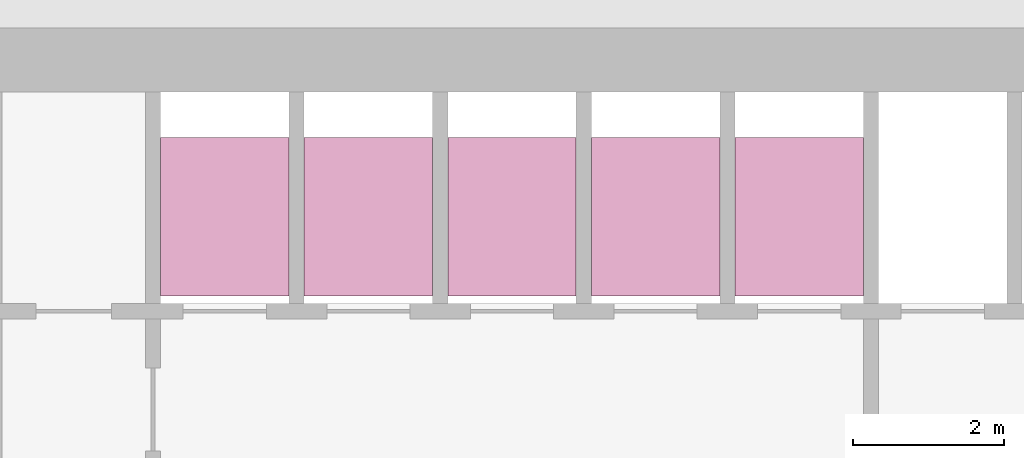
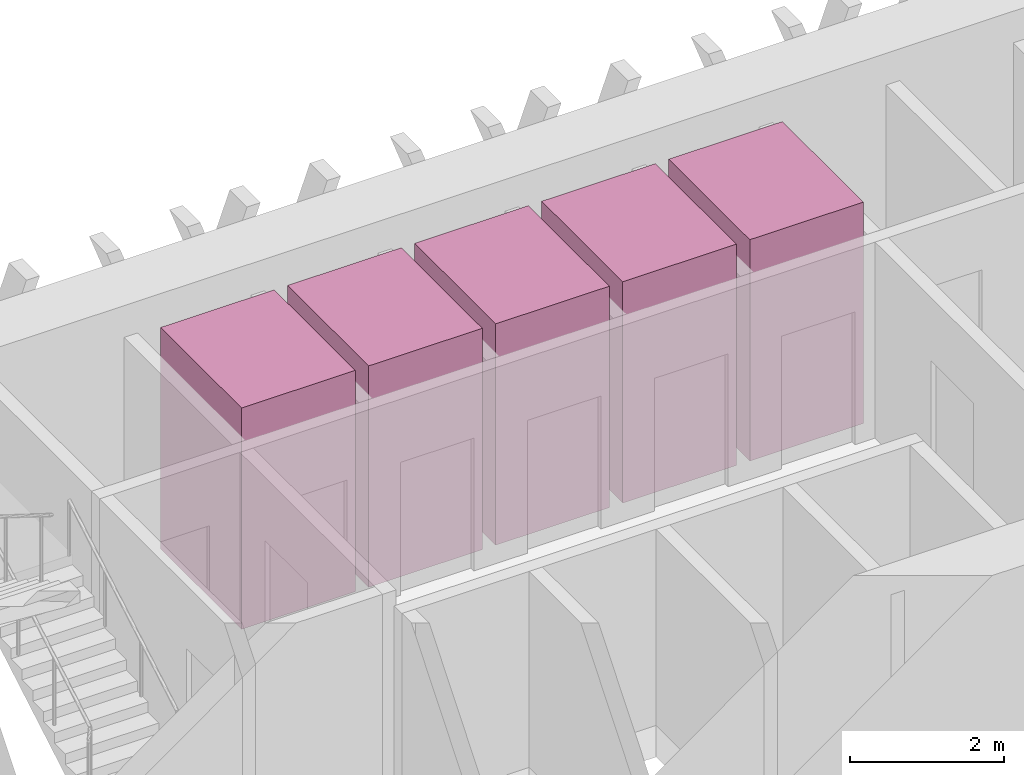
# One storey, part 16 of 16: 5 transport elements.
"""IFC4 building model written with IfcOpenShell, lengths in metres."""

from ifc_helpers import new_model, si_unit, direction, frame, origin, origin_2d, place, context, subcontext, project, spatial, rectangle, extrude, material, type_object, element, save


model = new_model("IFC4")

# Units and contexts
model_context = context("Model", 3, precision=1e-05, world=origin(), true_north=direction((0.0, 1.0)))
body_context = subcontext(model_context, "Body", "Model", "MODEL_VIEW")
ifc_project = project(units=[si_unit("LENGTHUNIT", "METRE"), si_unit("AREAUNIT", "SQUARE_METRE"), si_unit("VOLUMEUNIT", "CUBIC_METRE"), si_unit("PLANEANGLEUNIT", "RADIAN"), si_unit("MASSUNIT", "GRAM", prefix="KILO")], contexts=[model_context])

# Site, building, storey
site_placement = place(None, origin())
site = spatial("IfcSite", under=ifc_project, at=site_placement, CompositionType="ELEMENT")
building_placement = place(site_placement, origin())
building = spatial("IfcBuilding", under=site, at=building_placement, Name="Altiplano Prism Tower", CompositionType="ELEMENT")
storey_placement = place(building_placement, frame((0.0, 0.0, 104.39990234375)))
storey = spatial("IfcBuildingStorey", under=building, at=storey_placement, Name="L26", CompositionType="ELEMENT", Elevation=104.39990234375)

# Transport elements
ifc_material = material(Name="Stainless steel lift car", Category="steel")
transport_element_type = type_object("IfcTransportElementType", Name="Passenger lift car 1600 x 2100", PredefinedType="ELEVATOR", material=ifc_material)
for number, where, z_axis, x_axis, name in (
    (1, (79.050048828125, 101.75, 0.050048828125), (0.0, 0.0, 1.0), (1.0, 0.0, 0.0), "Low Zone Passenger Lift 1"),
    (2, (80.949951171875, 101.75, 0.050048828125), (0.0, 0.0, 1.0), (1.0, 0.0, 0.0), "Low Zone Passenger Lift 2"),
    (3, (82.85009765625, 101.75, 0.050048828125), (0.0, 0.0, 1.0), (1.0, 0.0, 0.0), "Low Zone Passenger Lift 3"),
    (4, (84.75, 101.75, 0.050048828125), (0.0, 0.0, 1.0), (1.0, 0.0, 0.0), "Low Zone Passenger Lift 4"),
    (5, (86.64990234375, 101.75, 0.050048828125), (0.0, 0.0, 1.0), (1.0, 0.0, 0.0), "Low Zone Passenger Lift 5"),
):
    element("IfcTransportElement", number, at=place(storey_placement, frame(where, z_axis=z_axis, x_axis=x_axis)), inside=storey, type_object=transport_element_type, Name=name, PredefinedType="ELEVATOR", context=body_context, shape_type="SweptSolid", body=[
        extrude(rectangle(XDim=1.699951171875, YDim=2.10009765625, at=origin_2d()), origin(), (0.0, 0.0, 1.0), 3.5),
    ])

save(model, "model.ifc")
